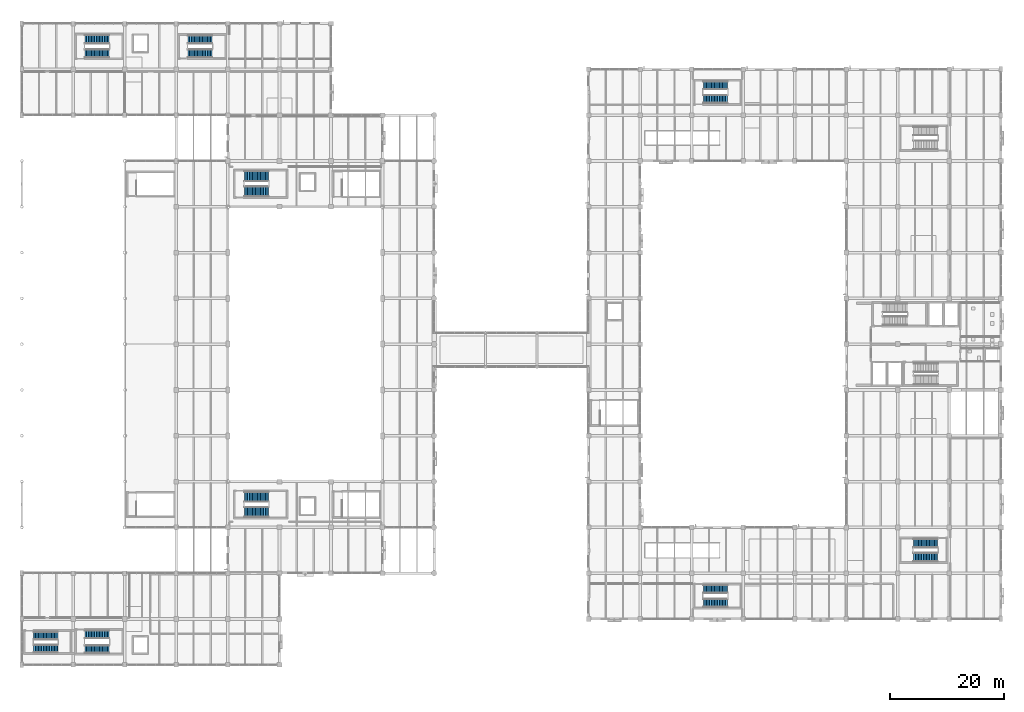
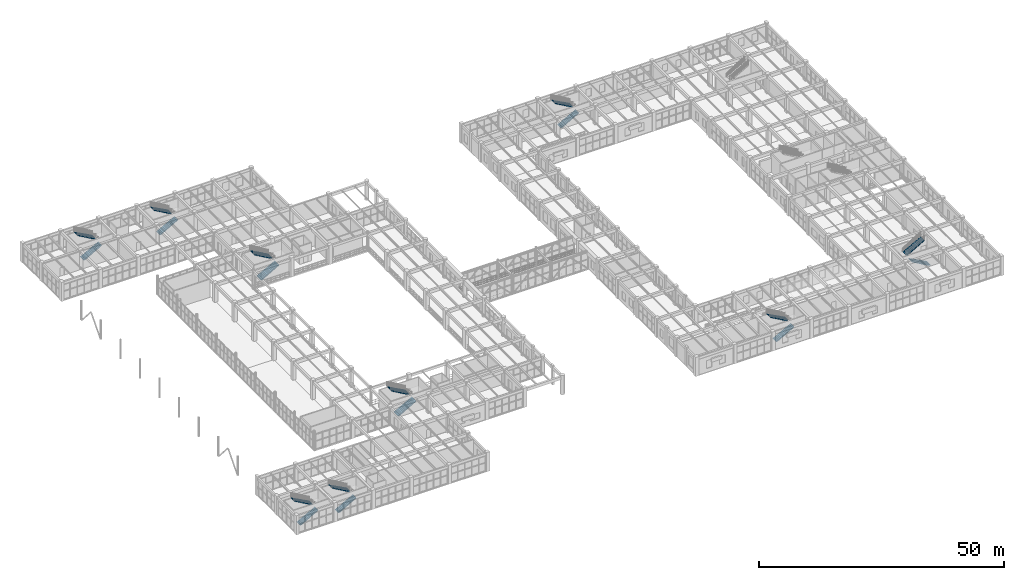
# One storey, part 161 of 178: 18 stair flights, 9 elements without a shape of their own.
"""IFC4 building model written with IfcOpenShell, lengths in metres."""

from ifc_helpers import new_model, si_unit, derived_unit, direction, frame, origin, place, context, subcontext, project, spatial, polyline, outline, extrude, material, type_object, element, aggregate, save


model = new_model("IFC4")

# Units and contexts
model_context = context("Model", 3, precision=1e-05, world=origin(), true_north=direction((0.0, 1.0)))
body_context = subcontext(model_context, "Body", "Model", "MODEL_VIEW")
ifc_project = project(units=[si_unit("LENGTHUNIT", "METRE"), si_unit("AREAUNIT", "SQUARE_METRE"), si_unit("VOLUMEUNIT", "CUBIC_METRE"), si_unit("PLANEANGLEUNIT", "RADIAN"), si_unit("MASSUNIT", "GRAM", prefix="KILO"), derived_unit("THERMALTRANSMITTANCEUNIT", [(si_unit("MASSUNIT", "GRAM", prefix="KILO"), 1), (si_unit("TIMEUNIT", "SECOND"), -3), (si_unit("THERMODYNAMICTEMPERATUREUNIT", "KELVIN"), -1)])], contexts=[model_context])

# Site, building, storey
site_placement = place(None, origin())
site = spatial("IfcSite", under=ifc_project, at=site_placement, CompositionType="ELEMENT")
building_placement = place(site_placement, origin())
building = spatial("IfcBuilding", under=site, at=building_placement, Name="Zhenchuan Archway Interchange", CompositionType="ELEMENT")
storey_placement = place(building_placement, frame((0.0, 0.0, 5.39990234375)))
storey = spatial("IfcBuildingStorey", under=building, at=storey_placement, Name="L01", CompositionType="ELEMENT", Elevation=5.39990234375)

# Stair, stair flights
ifc_material = material(Name="Concrete C35", Category="concrete")
stair_type_1 = type_object("IfcStairType", Name="STR_HALF_1400", PredefinedType="HALF_TURN_STAIR", material=ifc_material)
stair_1_placement = place(storey_placement, origin())
stair_1 = element("IfcStair", 1, at=stair_1_placement, inside=storey, type_object=stair_type_1, Name="Stair ST-C1 (L01)", PredefinedType="HALF_TURN_STAIR")
stair_flight_type_1 = type_object("IfcStairFlightType", Name="SFL_1400", PredefinedType="STRAIGHT", material=ifc_material)
stair_flight_1_placement = place(storey_placement, frame((11.0244140625, 2.715087890625, 0.0), z_axis=(0.0, 0.0, 1.0), x_axis=(1.0, 0.0, 0.0)))
stair_flight_1 = element("IfcStairFlight", 2, at=stair_flight_1_placement, type_object=stair_flight_type_1, Name="Stair ST-C1 lower flight (L01)", NumberOfRisers=16, NumberOfTreads=15, PredefinedType="STRAIGHT", RiserHeight=0.15, TreadLength=0.28, context=body_context, shape_type="SweptSolid", body=[
    extrude(outline(polyline([(0.0, 0.0), (0.0, 0.14990234375), (0.280029296875, 0.14990234375), (0.280029296875, 0.300048828125), (0.56005859375, 0.300048828125), (0.56005859375, 0.449951171875), (0.840087890625, 0.449951171875), (0.840087890625, 0.60009765625), (1.1201171875, 0.60009765625), (1.1201171875, 0.75), (1.39990234375, 0.75), (1.39990234375, 0.89990234375), (1.679931640625, 0.89990234375), (1.679931640625, 1.050048828125), (1.9599609375, 1.050048828125), (1.9599609375, 1.199951171875), (2.239990234375, 1.199951171875), (2.239990234375, 1.35009765625), (2.52001953125, 1.35009765625), (2.52001953125, 1.5), (2.800048828125, 1.5), (2.800048828125, 1.64990234375), (3.080078125, 1.64990234375), (3.080078125, 1.800048828125), (3.360107421875, 1.800048828125), (3.360107421875, 1.949951171875), (3.639892578125, 1.949951171875), (3.639892578125, 2.10009765625), (3.919921875, 2.10009765625), (3.919921875, 2.25), (4.199951171875, 2.25), (4.199951171875, 2.39990234375), (4.22119140625, 2.39990234375), (4.22119140625, 2.19580078125), (0.381103515625, 0.0), (0.0, 0.0)])), frame((0.0, 0.699951171875, 0.0), z_axis=(0.0, -1.0, 0.0), x_axis=(1.0, 0.0, 0.0)), (0.0, 0.0, 1.0), 1.39990234375),
])
stair_flight_2_placement = place(storey_placement, frame((15.24560546875, 5.284912109375, 2.400146484375), z_axis=(0.0, 0.0, 1.0), x_axis=(-1.0, 0.0, 0.0)))
stair_flight_2 = element("IfcStairFlight", 3, at=stair_flight_2_placement, type_object=stair_flight_type_1, Name="Stair ST-C1 upper flight (L01)", NumberOfRisers=16, NumberOfTreads=15, PredefinedType="STRAIGHT", RiserHeight=0.15, TreadLength=0.28, context=body_context, shape_type="SweptSolid", body=[
    extrude(outline(polyline([(0.0, 0.0), (0.0, 0.14990234375), (0.280029296875, 0.14990234375), (0.280029296875, 0.300048828125), (0.56005859375, 0.300048828125), (0.56005859375, 0.449951171875), (0.840087890625, 0.449951171875), (0.840087890625, 0.60009765625), (1.1201171875, 0.60009765625), (1.1201171875, 0.75), (1.39990234375, 0.75), (1.39990234375, 0.89990234375), (1.679931640625, 0.89990234375), (1.679931640625, 1.050048828125), (1.9599609375, 1.050048828125), (1.9599609375, 1.199951171875), (2.239990234375, 1.199951171875), (2.239990234375, 1.35009765625), (2.52001953125, 1.35009765625), (2.52001953125, 1.5), (2.800048828125, 1.5), (2.800048828125, 1.64990234375), (3.080078125, 1.64990234375), (3.080078125, 1.800048828125), (3.360107421875, 1.800048828125), (3.360107421875, 1.949951171875), (3.639892578125, 1.949951171875), (3.639892578125, 2.10009765625), (3.919921875, 2.10009765625), (3.919921875, 2.25), (4.199951171875, 2.25), (4.199951171875, 2.39990234375), (4.22119140625, 2.39990234375), (4.22119140625, 2.19580078125), (0.381103515625, 0.0), (0.0, 0.0)])), frame((0.0, 0.699951171875, 0.0), z_axis=(0.0, -1.0, 0.0), x_axis=(1.0, 0.0, 0.0)), (0.0, 0.0, 1.0), 1.39990234375),
])
aggregate(stair_1, [stair_flight_1, stair_flight_2])

stair_2_placement = place(storey_placement, origin())
stair_2 = element("IfcStair", 4, at=stair_2_placement, inside=storey, type_object=stair_type_1, Name="Stair ST-C2 (L01)", PredefinedType="HALF_TURN_STAIR")
stair_flight_3_placement = place(storey_placement, frame((2.064453125, 2.81494140625, 0.0), z_axis=(0.0, 0.0, 1.0), x_axis=(1.0, 0.0, 0.0)))
stair_flight_3 = element("IfcStairFlight", 5, at=stair_flight_3_placement, type_object=stair_flight_type_1, Name="Stair ST-C2 lower flight (L01)", NumberOfRisers=16, NumberOfTreads=15, PredefinedType="STRAIGHT", RiserHeight=0.15, TreadLength=0.28, context=body_context, shape_type="SweptSolid", body=[
    extrude(outline(polyline([(0.0, 0.0), (0.0, 0.14990234375), (0.280029296875, 0.14990234375), (0.280029296875, 0.300048828125), (0.56005859375, 0.300048828125), (0.56005859375, 0.449951171875), (0.840087890625, 0.449951171875), (0.840087890625, 0.60009765625), (1.1201171875, 0.60009765625), (1.1201171875, 0.75), (1.39990234375, 0.75), (1.39990234375, 0.89990234375), (1.679931640625, 0.89990234375), (1.679931640625, 1.050048828125), (1.9599609375, 1.050048828125), (1.9599609375, 1.199951171875), (2.239990234375, 1.199951171875), (2.239990234375, 1.35009765625), (2.52001953125, 1.35009765625), (2.52001953125, 1.5), (2.800048828125, 1.5), (2.800048828125, 1.64990234375), (3.080078125, 1.64990234375), (3.080078125, 1.800048828125), (3.360107421875, 1.800048828125), (3.360107421875, 1.949951171875), (3.639892578125, 1.949951171875), (3.639892578125, 2.10009765625), (3.919921875, 2.10009765625), (3.919921875, 2.25), (4.199951171875, 2.25), (4.199951171875, 2.39990234375), (4.22119140625, 2.39990234375), (4.22119140625, 2.19580078125), (0.381103515625, 0.0), (0.0, 0.0)])), frame((0.0, 0.699951171875, 0.0), z_axis=(0.0, -1.0, 0.0), x_axis=(1.0, 0.0, 0.0)), (0.0, 0.0, 1.0), 1.39990234375),
])
stair_flight_4_placement = place(storey_placement, frame((6.28564453125, 5.0849609375, 2.400146484375), z_axis=(0.0, 0.0, 1.0), x_axis=(-1.0, 0.0, 0.0)))
stair_flight_4 = element("IfcStairFlight", 6, at=stair_flight_4_placement, type_object=stair_flight_type_1, Name="Stair ST-C2 upper flight (L01)", NumberOfRisers=16, NumberOfTreads=15, PredefinedType="STRAIGHT", RiserHeight=0.15, TreadLength=0.28, context=body_context, shape_type="SweptSolid", body=[
    extrude(outline(polyline([(0.0, 0.0), (0.0, 0.14990234375), (0.280029296875, 0.14990234375), (0.280029296875, 0.300048828125), (0.56005859375, 0.300048828125), (0.56005859375, 0.449951171875), (0.840087890625, 0.449951171875), (0.840087890625, 0.60009765625), (1.1201171875, 0.60009765625), (1.1201171875, 0.75), (1.39990234375, 0.75), (1.39990234375, 0.89990234375), (1.679931640625, 0.89990234375), (1.679931640625, 1.050048828125), (1.9599609375, 1.050048828125), (1.9599609375, 1.199951171875), (2.239990234375, 1.199951171875), (2.239990234375, 1.35009765625), (2.52001953125, 1.35009765625), (2.52001953125, 1.5), (2.800048828125, 1.5), (2.800048828125, 1.64990234375), (3.080078125, 1.64990234375), (3.080078125, 1.800048828125), (3.360107421875, 1.800048828125), (3.360107421875, 1.949951171875), (3.639892578125, 1.949951171875), (3.639892578125, 2.10009765625), (3.919921875, 2.10009765625), (3.919921875, 2.25), (4.199951171875, 2.25), (4.199951171875, 2.39990234375), (4.22119140625, 2.39990234375), (4.22119140625, 2.19580078125), (0.381103515625, 0.0), (0.0, 0.0)])), frame((0.0, 0.699951171875, 0.0), z_axis=(0.0, -1.0, 0.0), x_axis=(1.0, 0.0, 0.0)), (0.0, 0.0, 1.0), 1.39990234375),
])
aggregate(stair_2, [stair_flight_3, stair_flight_4])

stair_type_2 = type_object("IfcStairType", Name="STR_HALF_1450", PredefinedType="HALF_TURN_STAIR", material=ifc_material)
stair_3_placement = place(storey_placement, origin())
stair_3 = element("IfcStair", 7, at=stair_3_placement, inside=storey, type_object=stair_type_2, Name="Stair ST-W2 (L01)", PredefinedType="HALF_TURN_STAIR")
stair_flight_type_2 = type_object("IfcStairFlightType", Name="SFL_1450", PredefinedType="STRAIGHT", material=ifc_material)
stair_flight_5_placement = place(storey_placement, frame((29.0244140625, 106.7900390625, 0.0), z_axis=(0.0, 0.0, 1.0), x_axis=(1.0, 0.0, 0.0)))
stair_flight_5 = element("IfcStairFlight", 8, at=stair_flight_5_placement, type_object=stair_flight_type_2, Name="Stair ST-W2 lower flight (L01)", NumberOfRisers=16, NumberOfTreads=15, PredefinedType="STRAIGHT", RiserHeight=0.15, TreadLength=0.28, context=body_context, shape_type="SweptSolid", body=[
    extrude(outline(polyline([(0.0, 0.0), (0.0, 0.14990234375), (0.280029296875, 0.14990234375), (0.280029296875, 0.300048828125), (0.56005859375, 0.300048828125), (0.56005859375, 0.449951171875), (0.840087890625, 0.449951171875), (0.840087890625, 0.60009765625), (1.1201171875, 0.60009765625), (1.1201171875, 0.75), (1.39990234375, 0.75), (1.39990234375, 0.89990234375), (1.679931640625, 0.89990234375), (1.679931640625, 1.050048828125), (1.9599609375, 1.050048828125), (1.9599609375, 1.199951171875), (2.239990234375, 1.199951171875), (2.239990234375, 1.35009765625), (2.52001953125, 1.35009765625), (2.52001953125, 1.5), (2.800048828125, 1.5), (2.800048828125, 1.64990234375), (3.080078125, 1.64990234375), (3.080078125, 1.800048828125), (3.360107421875, 1.800048828125), (3.360107421875, 1.949951171875), (3.639892578125, 1.949951171875), (3.639892578125, 2.10009765625), (3.919921875, 2.10009765625), (3.919921875, 2.25), (4.199951171875, 2.25), (4.199951171875, 2.39990234375), (4.22119140625, 2.39990234375), (4.22119140625, 2.19580078125), (0.381103515625, 0.0), (0.0, 0.0)])), frame((0.0, 0.72509765625, 0.0), z_axis=(0.0, -1.0, 0.0), x_axis=(1.0, 0.0, 0.0)), (0.0, 0.0, 1.0), 1.449951171875),
])
stair_flight_6_placement = place(storey_placement, frame((33.24560546875, 109.2099609375, 2.400146484375), z_axis=(0.0, 0.0, 1.0), x_axis=(-1.0, 0.0, 0.0)))
stair_flight_6 = element("IfcStairFlight", 9, at=stair_flight_6_placement, type_object=stair_flight_type_2, Name="Stair ST-W2 upper flight (L01)", NumberOfRisers=16, NumberOfTreads=15, PredefinedType="STRAIGHT", RiserHeight=0.15, TreadLength=0.28, context=body_context, shape_type="SweptSolid", body=[
    extrude(outline(polyline([(0.0, 0.0), (0.0, 0.14990234375), (0.280029296875, 0.14990234375), (0.280029296875, 0.300048828125), (0.56005859375, 0.300048828125), (0.56005859375, 0.449951171875), (0.840087890625, 0.449951171875), (0.840087890625, 0.60009765625), (1.1201171875, 0.60009765625), (1.1201171875, 0.75), (1.39990234375, 0.75), (1.39990234375, 0.89990234375), (1.679931640625, 0.89990234375), (1.679931640625, 1.050048828125), (1.9599609375, 1.050048828125), (1.9599609375, 1.199951171875), (2.239990234375, 1.199951171875), (2.239990234375, 1.35009765625), (2.52001953125, 1.35009765625), (2.52001953125, 1.5), (2.800048828125, 1.5), (2.800048828125, 1.64990234375), (3.080078125, 1.64990234375), (3.080078125, 1.800048828125), (3.360107421875, 1.800048828125), (3.360107421875, 1.949951171875), (3.639892578125, 1.949951171875), (3.639892578125, 2.10009765625), (3.919921875, 2.10009765625), (3.919921875, 2.25), (4.199951171875, 2.25), (4.199951171875, 2.39990234375), (4.22119140625, 2.39990234375), (4.22119140625, 2.19580078125), (0.381103515625, 0.0), (0.0, 0.0)])), frame((0.0, 0.72509765625, 0.0), z_axis=(0.0, -1.0, 0.0), x_axis=(1.0, 0.0, 0.0)), (0.0, 0.0, 1.0), 1.449951171875),
])
aggregate(stair_3, [stair_flight_5, stair_flight_6])

stair_4_placement = place(storey_placement, origin())
stair_4 = element("IfcStair", 10, at=stair_4_placement, inside=storey, type_object=stair_type_2, Name="Stair ST-O5 (L01)", PredefinedType="HALF_TURN_STAIR")
stair_flight_7_placement = place(storey_placement, frame((119.0244140625, 10.7900390625, 0.0), z_axis=(0.0, 0.0, 1.0), x_axis=(1.0, 0.0, 0.0)))
stair_flight_7 = element("IfcStairFlight", 11, at=stair_flight_7_placement, type_object=stair_flight_type_2, Name="Stair ST-O5 lower flight (L01)", NumberOfRisers=16, NumberOfTreads=15, PredefinedType="STRAIGHT", RiserHeight=0.15, TreadLength=0.28, context=body_context, shape_type="SweptSolid", body=[
    extrude(outline(polyline([(0.0, 0.0), (0.0, 0.14990234375), (0.280029296875, 0.14990234375), (0.280029296875, 0.300048828125), (0.56005859375, 0.300048828125), (0.56005859375, 0.449951171875), (0.840087890625, 0.449951171875), (0.840087890625, 0.60009765625), (1.1201171875, 0.60009765625), (1.1201171875, 0.75), (1.39990234375, 0.75), (1.39990234375, 0.89990234375), (1.679931640625, 0.89990234375), (1.679931640625, 1.050048828125), (1.9599609375, 1.050048828125), (1.9599609375, 1.199951171875), (2.239990234375, 1.199951171875), (2.239990234375, 1.35009765625), (2.52001953125, 1.35009765625), (2.52001953125, 1.5), (2.800048828125, 1.5), (2.800048828125, 1.64990234375), (3.080078125, 1.64990234375), (3.080078125, 1.800048828125), (3.360107421875, 1.800048828125), (3.360107421875, 1.949951171875), (3.639892578125, 1.949951171875), (3.639892578125, 2.10009765625), (3.919921875, 2.10009765625), (3.919921875, 2.25), (4.199951171875, 2.25), (4.199951171875, 2.39990234375), (4.22119140625, 2.39990234375), (4.22119140625, 2.19580078125), (0.381103515625, 0.0), (0.0, 0.0)])), frame((0.0, 0.72509765625, 0.0), z_axis=(0.0, -1.0, 0.0), x_axis=(1.0, 0.0, 0.0)), (0.0, 0.0, 1.0), 1.449951171875),
])
stair_flight_8_placement = place(storey_placement, frame((123.24560546875, 13.2099609375, 2.400146484375), z_axis=(0.0, 0.0, 1.0), x_axis=(-1.0, 0.0, 0.0)))
stair_flight_8 = element("IfcStairFlight", 12, at=stair_flight_8_placement, type_object=stair_flight_type_2, Name="Stair ST-O5 upper flight (L01)", NumberOfRisers=16, NumberOfTreads=15, PredefinedType="STRAIGHT", RiserHeight=0.15, TreadLength=0.28, context=body_context, shape_type="SweptSolid", body=[
    extrude(outline(polyline([(0.0, 0.0), (0.0, 0.14990234375), (0.280029296875, 0.14990234375), (0.280029296875, 0.300048828125), (0.56005859375, 0.300048828125), (0.56005859375, 0.449951171875), (0.840087890625, 0.449951171875), (0.840087890625, 0.60009765625), (1.1201171875, 0.60009765625), (1.1201171875, 0.75), (1.39990234375, 0.75), (1.39990234375, 0.89990234375), (1.679931640625, 0.89990234375), (1.679931640625, 1.050048828125), (1.9599609375, 1.050048828125), (1.9599609375, 1.199951171875), (2.239990234375, 1.199951171875), (2.239990234375, 1.35009765625), (2.52001953125, 1.35009765625), (2.52001953125, 1.5), (2.800048828125, 1.5), (2.800048828125, 1.64990234375), (3.080078125, 1.64990234375), (3.080078125, 1.800048828125), (3.360107421875, 1.800048828125), (3.360107421875, 1.949951171875), (3.639892578125, 1.949951171875), (3.639892578125, 2.10009765625), (3.919921875, 2.10009765625), (3.919921875, 2.25), (4.199951171875, 2.25), (4.199951171875, 2.39990234375), (4.22119140625, 2.39990234375), (4.22119140625, 2.19580078125), (0.381103515625, 0.0), (0.0, 0.0)])), frame((0.0, 0.72509765625, 0.0), z_axis=(0.0, -1.0, 0.0), x_axis=(1.0, 0.0, 0.0)), (0.0, 0.0, 1.0), 1.449951171875),
])
aggregate(stair_4, [stair_flight_7, stair_flight_8])

stair_5_placement = place(storey_placement, origin())
stair_5 = element("IfcStair", 13, at=stair_5_placement, inside=storey, type_object=stair_type_2, Name="Stair ST-O6 (L01)", PredefinedType="HALF_TURN_STAIR")
stair_flight_9_placement = place(storey_placement, frame((119.0244140625, 98.7900390625, 0.0), z_axis=(0.0, 0.0, 1.0), x_axis=(1.0, 0.0, 0.0)))
stair_flight_9 = element("IfcStairFlight", 14, at=stair_flight_9_placement, type_object=stair_flight_type_2, Name="Stair ST-O6 lower flight (L01)", NumberOfRisers=16, NumberOfTreads=15, PredefinedType="STRAIGHT", RiserHeight=0.15, TreadLength=0.28, context=body_context, shape_type="SweptSolid", body=[
    extrude(outline(polyline([(0.0, 0.0), (0.0, 0.14990234375), (0.280029296875, 0.14990234375), (0.280029296875, 0.300048828125), (0.56005859375, 0.300048828125), (0.56005859375, 0.449951171875), (0.840087890625, 0.449951171875), (0.840087890625, 0.60009765625), (1.1201171875, 0.60009765625), (1.1201171875, 0.75), (1.39990234375, 0.75), (1.39990234375, 0.89990234375), (1.679931640625, 0.89990234375), (1.679931640625, 1.050048828125), (1.9599609375, 1.050048828125), (1.9599609375, 1.199951171875), (2.239990234375, 1.199951171875), (2.239990234375, 1.35009765625), (2.52001953125, 1.35009765625), (2.52001953125, 1.5), (2.800048828125, 1.5), (2.800048828125, 1.64990234375), (3.080078125, 1.64990234375), (3.080078125, 1.800048828125), (3.360107421875, 1.800048828125), (3.360107421875, 1.949951171875), (3.639892578125, 1.949951171875), (3.639892578125, 2.10009765625), (3.919921875, 2.10009765625), (3.919921875, 2.25), (4.199951171875, 2.25), (4.199951171875, 2.39990234375), (4.22119140625, 2.39990234375), (4.22119140625, 2.19580078125), (0.381103515625, 0.0), (0.0, 0.0)])), frame((0.0, 0.72509765625, 0.0), z_axis=(0.0, -1.0, 0.0), x_axis=(1.0, 0.0, 0.0)), (0.0, 0.0, 1.0), 1.449951171875),
])
stair_flight_10_placement = place(storey_placement, frame((123.24560546875, 101.2099609375, 2.400146484375), z_axis=(0.0, 0.0, 1.0), x_axis=(-1.0, 0.0, 0.0)))
stair_flight_10 = element("IfcStairFlight", 15, at=stair_flight_10_placement, type_object=stair_flight_type_2, Name="Stair ST-O6 upper flight (L01)", NumberOfRisers=16, NumberOfTreads=15, PredefinedType="STRAIGHT", RiserHeight=0.15, TreadLength=0.28, context=body_context, shape_type="SweptSolid", body=[
    extrude(outline(polyline([(0.0, 0.0), (0.0, 0.14990234375), (0.280029296875, 0.14990234375), (0.280029296875, 0.300048828125), (0.56005859375, 0.300048828125), (0.56005859375, 0.449951171875), (0.840087890625, 0.449951171875), (0.840087890625, 0.60009765625), (1.1201171875, 0.60009765625), (1.1201171875, 0.75), (1.39990234375, 0.75), (1.39990234375, 0.89990234375), (1.679931640625, 0.89990234375), (1.679931640625, 1.050048828125), (1.9599609375, 1.050048828125), (1.9599609375, 1.199951171875), (2.239990234375, 1.199951171875), (2.239990234375, 1.35009765625), (2.52001953125, 1.35009765625), (2.52001953125, 1.5), (2.800048828125, 1.5), (2.800048828125, 1.64990234375), (3.080078125, 1.64990234375), (3.080078125, 1.800048828125), (3.360107421875, 1.800048828125), (3.360107421875, 1.949951171875), (3.639892578125, 1.949951171875), (3.639892578125, 2.10009765625), (3.919921875, 2.10009765625), (3.919921875, 2.25), (4.199951171875, 2.25), (4.199951171875, 2.39990234375), (4.22119140625, 2.39990234375), (4.22119140625, 2.19580078125), (0.381103515625, 0.0), (0.0, 0.0)])), frame((0.0, 0.72509765625, 0.0), z_axis=(0.0, -1.0, 0.0), x_axis=(1.0, 0.0, 0.0)), (0.0, 0.0, 1.0), 1.449951171875),
])
aggregate(stair_5, [stair_flight_9, stair_flight_10])

stair_type_3 = type_object("IfcStairType", Name="STR_HALF_1500", PredefinedType="HALF_TURN_STAIR", material=ifc_material)
stair_6_placement = place(storey_placement, origin())
stair_6 = element("IfcStair", 16, at=stair_6_placement, inside=storey, type_object=stair_type_3, Name="Stair ST-W1 (L01)", PredefinedType="HALF_TURN_STAIR")
stair_flight_type_3 = type_object("IfcStairFlightType", Name="SFL_1500", PredefinedType="STRAIGHT", material=ifc_material)
stair_flight_11_placement = place(storey_placement, frame((11.0244140625, 106.764892578125, 0.0), z_axis=(0.0, 0.0, 1.0), x_axis=(1.0, 0.0, 0.0)))
stair_flight_11 = element("IfcStairFlight", 17, at=stair_flight_11_placement, type_object=stair_flight_type_3, Name="Stair ST-W1 lower flight (L01)", NumberOfRisers=16, NumberOfTreads=15, PredefinedType="STRAIGHT", RiserHeight=0.15, TreadLength=0.28, context=body_context, shape_type="SweptSolid", body=[
    extrude(outline(polyline([(0.0, 0.0), (0.0, 0.14990234375), (0.280029296875, 0.14990234375), (0.280029296875, 0.300048828125), (0.56005859375, 0.300048828125), (0.56005859375, 0.449951171875), (0.840087890625, 0.449951171875), (0.840087890625, 0.60009765625), (1.1201171875, 0.60009765625), (1.1201171875, 0.75), (1.39990234375, 0.75), (1.39990234375, 0.89990234375), (1.679931640625, 0.89990234375), (1.679931640625, 1.050048828125), (1.9599609375, 1.050048828125), (1.9599609375, 1.199951171875), (2.239990234375, 1.199951171875), (2.239990234375, 1.35009765625), (2.52001953125, 1.35009765625), (2.52001953125, 1.5), (2.800048828125, 1.5), (2.800048828125, 1.64990234375), (3.080078125, 1.64990234375), (3.080078125, 1.800048828125), (3.360107421875, 1.800048828125), (3.360107421875, 1.949951171875), (3.639892578125, 1.949951171875), (3.639892578125, 2.10009765625), (3.919921875, 2.10009765625), (3.919921875, 2.25), (4.199951171875, 2.25), (4.199951171875, 2.39990234375), (4.22119140625, 2.39990234375), (4.22119140625, 2.19580078125), (0.381103515625, 0.0), (0.0, 0.0)])), frame((0.0, 0.75, 0.0), z_axis=(0.0, -1.0, 0.0), x_axis=(1.0, 0.0, 0.0)), (0.0, 0.0, 1.0), 1.5),
])
stair_flight_12_placement = place(storey_placement, frame((15.24560546875, 109.235107421875, 2.400146484375), z_axis=(0.0, 0.0, 1.0), x_axis=(-1.0, 0.0, 0.0)))
stair_flight_12 = element("IfcStairFlight", 18, at=stair_flight_12_placement, type_object=stair_flight_type_3, Name="Stair ST-W1 upper flight (L01)", NumberOfRisers=16, NumberOfTreads=15, PredefinedType="STRAIGHT", RiserHeight=0.15, TreadLength=0.28, context=body_context, shape_type="SweptSolid", body=[
    extrude(outline(polyline([(0.0, 0.0), (0.0, 0.14990234375), (0.280029296875, 0.14990234375), (0.280029296875, 0.300048828125), (0.56005859375, 0.300048828125), (0.56005859375, 0.449951171875), (0.840087890625, 0.449951171875), (0.840087890625, 0.60009765625), (1.1201171875, 0.60009765625), (1.1201171875, 0.75), (1.39990234375, 0.75), (1.39990234375, 0.89990234375), (1.679931640625, 0.89990234375), (1.679931640625, 1.050048828125), (1.9599609375, 1.050048828125), (1.9599609375, 1.199951171875), (2.239990234375, 1.199951171875), (2.239990234375, 1.35009765625), (2.52001953125, 1.35009765625), (2.52001953125, 1.5), (2.800048828125, 1.5), (2.800048828125, 1.64990234375), (3.080078125, 1.64990234375), (3.080078125, 1.800048828125), (3.360107421875, 1.800048828125), (3.360107421875, 1.949951171875), (3.639892578125, 1.949951171875), (3.639892578125, 2.10009765625), (3.919921875, 2.10009765625), (3.919921875, 2.25), (4.199951171875, 2.25), (4.199951171875, 2.39990234375), (4.22119140625, 2.39990234375), (4.22119140625, 2.19580078125), (0.381103515625, 0.0), (0.0, 0.0)])), frame((0.0, 0.75, 0.0), z_axis=(0.0, -1.0, 0.0), x_axis=(1.0, 0.0, 0.0)), (0.0, 0.0, 1.0), 1.5),
])
aggregate(stair_6, [stair_flight_11, stair_flight_12])

stair_type_4 = type_object("IfcStairType", Name="STR_HALF_1550", PredefinedType="HALF_TURN_STAIR", material=ifc_material)
stair_7_placement = place(storey_placement, origin())
stair_7 = element("IfcStair", 19, at=stair_7_placement, inside=storey, type_object=stair_type_4, Name="Stair ST-O4 (L01)", PredefinedType="HALF_TURN_STAIR")
stair_flight_type_4 = type_object("IfcStairFlightType", Name="SFL_1550", PredefinedType="STRAIGHT", material=ifc_material)
stair_flight_13_placement = place(storey_placement, frame((159.9755859375, 18.7900390625, 0.0), z_axis=(0.0, 0.0, 1.0), x_axis=(-1.0, 0.0, 0.0)))
stair_flight_13 = element("IfcStairFlight", 20, at=stair_flight_13_placement, type_object=stair_flight_type_4, Name="Stair ST-O4 lower flight (L01)", NumberOfRisers=16, NumberOfTreads=15, PredefinedType="STRAIGHT", RiserHeight=0.15, TreadLength=0.28, context=body_context, shape_type="SweptSolid", body=[
    extrude(outline(polyline([(0.0, 0.0), (0.0, 0.14990234375), (0.280029296875, 0.14990234375), (0.280029296875, 0.300048828125), (0.56005859375, 0.300048828125), (0.56005859375, 0.449951171875), (0.840087890625, 0.449951171875), (0.840087890625, 0.60009765625), (1.1201171875, 0.60009765625), (1.1201171875, 0.75), (1.39990234375, 0.75), (1.39990234375, 0.89990234375), (1.679931640625, 0.89990234375), (1.679931640625, 1.050048828125), (1.9599609375, 1.050048828125), (1.9599609375, 1.199951171875), (2.239990234375, 1.199951171875), (2.239990234375, 1.35009765625), (2.52001953125, 1.35009765625), (2.52001953125, 1.5), (2.800048828125, 1.5), (2.800048828125, 1.64990234375), (3.080078125, 1.64990234375), (3.080078125, 1.800048828125), (3.360107421875, 1.800048828125), (3.360107421875, 1.949951171875), (3.639892578125, 1.949951171875), (3.639892578125, 2.10009765625), (3.919921875, 2.10009765625), (3.919921875, 2.25), (4.199951171875, 2.25), (4.199951171875, 2.39990234375), (4.22119140625, 2.39990234375), (4.22119140625, 2.19580078125), (0.381103515625, 0.0), (0.0, 0.0)])), frame((0.0, 0.77490234375, 0.0), z_axis=(0.0, -1.0, 0.0), x_axis=(1.0, 0.0, 0.0)), (0.0, 0.0, 1.0), 1.550048828125),
])
stair_flight_14_placement = place(storey_placement, frame((155.75439453125, 21.2099609375, 2.400146484375), z_axis=(0.0, 0.0, 1.0), x_axis=(1.0, 0.0, 0.0)))
stair_flight_14 = element("IfcStairFlight", 21, at=stair_flight_14_placement, type_object=stair_flight_type_4, Name="Stair ST-O4 upper flight (L01)", NumberOfRisers=16, NumberOfTreads=15, PredefinedType="STRAIGHT", RiserHeight=0.15, TreadLength=0.28, context=body_context, shape_type="SweptSolid", body=[
    extrude(outline(polyline([(0.0, 0.0), (0.0, 0.14990234375), (0.280029296875, 0.14990234375), (0.280029296875, 0.300048828125), (0.56005859375, 0.300048828125), (0.56005859375, 0.449951171875), (0.840087890625, 0.449951171875), (0.840087890625, 0.60009765625), (1.1201171875, 0.60009765625), (1.1201171875, 0.75), (1.39990234375, 0.75), (1.39990234375, 0.89990234375), (1.679931640625, 0.89990234375), (1.679931640625, 1.050048828125), (1.9599609375, 1.050048828125), (1.9599609375, 1.199951171875), (2.239990234375, 1.199951171875), (2.239990234375, 1.35009765625), (2.52001953125, 1.35009765625), (2.52001953125, 1.5), (2.800048828125, 1.5), (2.800048828125, 1.64990234375), (3.080078125, 1.64990234375), (3.080078125, 1.800048828125), (3.360107421875, 1.800048828125), (3.360107421875, 1.949951171875), (3.639892578125, 1.949951171875), (3.639892578125, 2.10009765625), (3.919921875, 2.10009765625), (3.919921875, 2.25), (4.199951171875, 2.25), (4.199951171875, 2.39990234375), (4.22119140625, 2.39990234375), (4.22119140625, 2.19580078125), (0.381103515625, 0.0), (0.0, 0.0)])), frame((0.0, 0.77490234375, 0.0), z_axis=(0.0, -1.0, 0.0), x_axis=(1.0, 0.0, 0.0)), (0.0, 0.0, 1.0), 1.550048828125),
])
aggregate(stair_7, [stair_flight_13, stair_flight_14])

stair_type_5 = type_object("IfcStairType", Name="STR_HALF_1800", PredefinedType="HALF_TURN_STAIR", material=ifc_material)
stair_8_placement = place(storey_placement, origin())
stair_8 = element("IfcStair", 22, at=stair_8_placement, inside=storey, type_object=stair_type_5, Name="Stair ST-M1 (L01)", PredefinedType="HALF_TURN_STAIR")
stair_flight_type_5 = type_object("IfcStairFlightType", Name="SFL_1800", PredefinedType="STRAIGHT", material=ifc_material)
stair_flight_15_placement = place(storey_placement, frame((38.87451171875, 26.6650390625, 0.0), z_axis=(0.0, 0.0, 1.0), x_axis=(1.0, 0.0, 0.0)))
stair_flight_15 = element("IfcStairFlight", 23, at=stair_flight_15_placement, type_object=stair_flight_type_5, Name="Stair ST-M1 lower flight (L01)", NumberOfRisers=16, NumberOfTreads=15, PredefinedType="STRAIGHT", RiserHeight=0.15, TreadLength=0.28, context=body_context, shape_type="SweptSolid", body=[
    extrude(outline(polyline([(0.0, 0.0), (0.0, 0.14990234375), (0.280029296875, 0.14990234375), (0.280029296875, 0.300048828125), (0.56005859375, 0.300048828125), (0.56005859375, 0.449951171875), (0.840087890625, 0.449951171875), (0.840087890625, 0.60009765625), (1.1201171875, 0.60009765625), (1.1201171875, 0.75), (1.39990234375, 0.75), (1.39990234375, 0.89990234375), (1.679931640625, 0.89990234375), (1.679931640625, 1.050048828125), (1.9599609375, 1.050048828125), (1.9599609375, 1.199951171875), (2.239990234375, 1.199951171875), (2.239990234375, 1.35009765625), (2.52001953125, 1.35009765625), (2.52001953125, 1.5), (2.800048828125, 1.5), (2.800048828125, 1.64990234375), (3.080078125, 1.64990234375), (3.080078125, 1.800048828125), (3.360107421875, 1.800048828125), (3.360107421875, 1.949951171875), (3.639892578125, 1.949951171875), (3.639892578125, 2.10009765625), (3.919921875, 2.10009765625), (3.919921875, 2.25), (4.199951171875, 2.25), (4.199951171875, 2.39990234375), (4.22119140625, 2.39990234375), (4.22119140625, 2.19580078125), (0.381103515625, 0.0), (0.0, 0.0)])), frame((0.0, 0.89990234375, 0.0), z_axis=(0.0, -1.0, 0.0), x_axis=(1.0, 0.0, 0.0)), (0.0, 0.0, 1.0), 1.800048828125),
])
stair_flight_16_placement = place(storey_placement, frame((43.095703125, 29.3349609375, 2.400146484375), z_axis=(0.0, 0.0, 1.0), x_axis=(-1.0, 0.0, 0.0)))
stair_flight_16 = element("IfcStairFlight", 24, at=stair_flight_16_placement, type_object=stair_flight_type_5, Name="Stair ST-M1 upper flight (L01)", NumberOfRisers=16, NumberOfTreads=15, PredefinedType="STRAIGHT", RiserHeight=0.15, TreadLength=0.28, context=body_context, shape_type="SweptSolid", body=[
    extrude(outline(polyline([(0.0, 0.0), (0.0, 0.14990234375), (0.280029296875, 0.14990234375), (0.280029296875, 0.300048828125), (0.56005859375, 0.300048828125), (0.56005859375, 0.449951171875), (0.840087890625, 0.449951171875), (0.840087890625, 0.60009765625), (1.1201171875, 0.60009765625), (1.1201171875, 0.75), (1.39990234375, 0.75), (1.39990234375, 0.89990234375), (1.679931640625, 0.89990234375), (1.679931640625, 1.050048828125), (1.9599609375, 1.050048828125), (1.9599609375, 1.199951171875), (2.239990234375, 1.199951171875), (2.239990234375, 1.35009765625), (2.52001953125, 1.35009765625), (2.52001953125, 1.5), (2.800048828125, 1.5), (2.800048828125, 1.64990234375), (3.080078125, 1.64990234375), (3.080078125, 1.800048828125), (3.360107421875, 1.800048828125), (3.360107421875, 1.949951171875), (3.639892578125, 1.949951171875), (3.639892578125, 2.10009765625), (3.919921875, 2.10009765625), (3.919921875, 2.25), (4.199951171875, 2.25), (4.199951171875, 2.39990234375), (4.22119140625, 2.39990234375), (4.22119140625, 2.19580078125), (0.381103515625, 0.0), (0.0, 0.0)])), frame((0.0, 0.89990234375, 0.0), z_axis=(0.0, -1.0, 0.0), x_axis=(1.0, 0.0, 0.0)), (0.0, 0.0, 1.0), 1.800048828125),
])
aggregate(stair_8, [stair_flight_15, stair_flight_16])

stair_9_placement = place(storey_placement, origin())
stair_9 = element("IfcStair", 25, at=stair_9_placement, inside=storey, type_object=stair_type_5, Name="Stair ST-M2 (L01)", PredefinedType="HALF_TURN_STAIR")
stair_flight_17_placement = place(storey_placement, frame((38.87451171875, 82.6650390625, 0.0), z_axis=(0.0, 0.0, 1.0), x_axis=(1.0, 0.0, 0.0)))
stair_flight_17 = element("IfcStairFlight", 26, at=stair_flight_17_placement, type_object=stair_flight_type_5, Name="Stair ST-M2 lower flight (L01)", NumberOfRisers=16, NumberOfTreads=15, PredefinedType="STRAIGHT", RiserHeight=0.15, TreadLength=0.28, context=body_context, shape_type="SweptSolid", body=[
    extrude(outline(polyline([(0.0, 0.0), (0.0, 0.14990234375), (0.280029296875, 0.14990234375), (0.280029296875, 0.300048828125), (0.56005859375, 0.300048828125), (0.56005859375, 0.449951171875), (0.840087890625, 0.449951171875), (0.840087890625, 0.60009765625), (1.1201171875, 0.60009765625), (1.1201171875, 0.75), (1.39990234375, 0.75), (1.39990234375, 0.89990234375), (1.679931640625, 0.89990234375), (1.679931640625, 1.050048828125), (1.9599609375, 1.050048828125), (1.9599609375, 1.199951171875), (2.239990234375, 1.199951171875), (2.239990234375, 1.35009765625), (2.52001953125, 1.35009765625), (2.52001953125, 1.5), (2.800048828125, 1.5), (2.800048828125, 1.64990234375), (3.080078125, 1.64990234375), (3.080078125, 1.800048828125), (3.360107421875, 1.800048828125), (3.360107421875, 1.949951171875), (3.639892578125, 1.949951171875), (3.639892578125, 2.10009765625), (3.919921875, 2.10009765625), (3.919921875, 2.25), (4.199951171875, 2.25), (4.199951171875, 2.39990234375), (4.22119140625, 2.39990234375), (4.22119140625, 2.19580078125), (0.381103515625, 0.0), (0.0, 0.0)])), frame((0.0, 0.89990234375, 0.0), z_axis=(0.0, -1.0, 0.0), x_axis=(1.0, 0.0, 0.0)), (0.0, 0.0, 1.0), 1.800048828125),
])
stair_flight_18_placement = place(storey_placement, frame((43.095703125, 85.3349609375, 2.400146484375), z_axis=(0.0, 0.0, 1.0), x_axis=(-1.0, 0.0, 0.0)))
stair_flight_18 = element("IfcStairFlight", 27, at=stair_flight_18_placement, type_object=stair_flight_type_5, Name="Stair ST-M2 upper flight (L01)", NumberOfRisers=16, NumberOfTreads=15, PredefinedType="STRAIGHT", RiserHeight=0.15, TreadLength=0.28, context=body_context, shape_type="SweptSolid", body=[
    extrude(outline(polyline([(0.0, 0.0), (0.0, 0.14990234375), (0.280029296875, 0.14990234375), (0.280029296875, 0.300048828125), (0.56005859375, 0.300048828125), (0.56005859375, 0.449951171875), (0.840087890625, 0.449951171875), (0.840087890625, 0.60009765625), (1.1201171875, 0.60009765625), (1.1201171875, 0.75), (1.39990234375, 0.75), (1.39990234375, 0.89990234375), (1.679931640625, 0.89990234375), (1.679931640625, 1.050048828125), (1.9599609375, 1.050048828125), (1.9599609375, 1.199951171875), (2.239990234375, 1.199951171875), (2.239990234375, 1.35009765625), (2.52001953125, 1.35009765625), (2.52001953125, 1.5), (2.800048828125, 1.5), (2.800048828125, 1.64990234375), (3.080078125, 1.64990234375), (3.080078125, 1.800048828125), (3.360107421875, 1.800048828125), (3.360107421875, 1.949951171875), (3.639892578125, 1.949951171875), (3.639892578125, 2.10009765625), (3.919921875, 2.10009765625), (3.919921875, 2.25), (4.199951171875, 2.25), (4.199951171875, 2.39990234375), (4.22119140625, 2.39990234375), (4.22119140625, 2.19580078125), (0.381103515625, 0.0), (0.0, 0.0)])), frame((0.0, 0.89990234375, 0.0), z_axis=(0.0, -1.0, 0.0), x_axis=(1.0, 0.0, 0.0)), (0.0, 0.0, 1.0), 1.800048828125),
])
aggregate(stair_9, [stair_flight_17, stair_flight_18])

save(model, "model.ifc")
